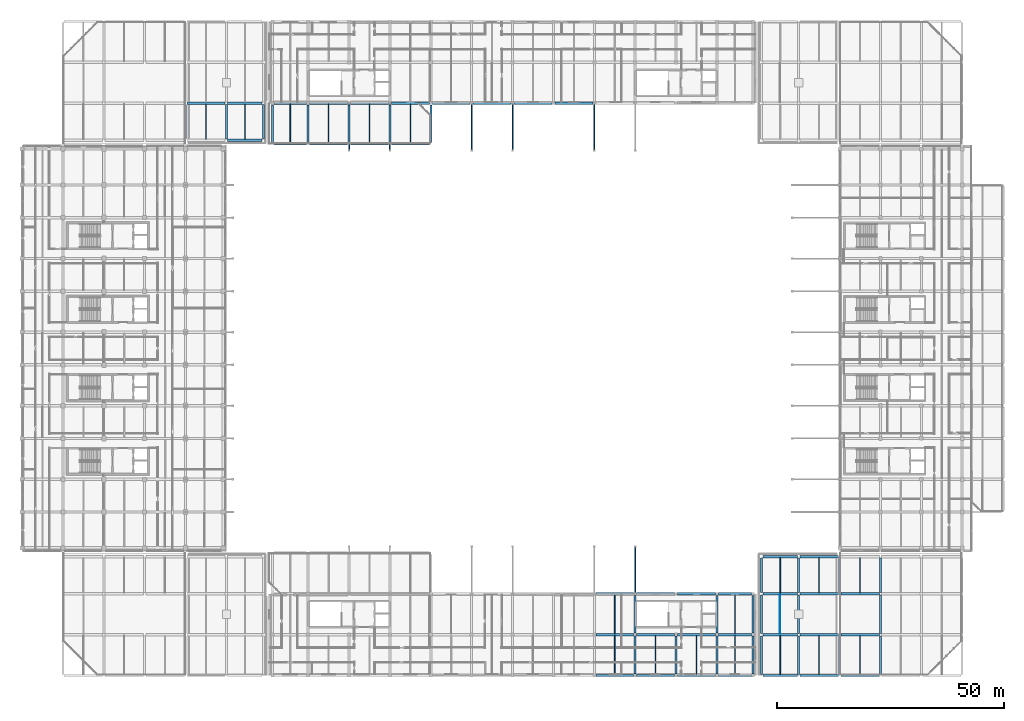
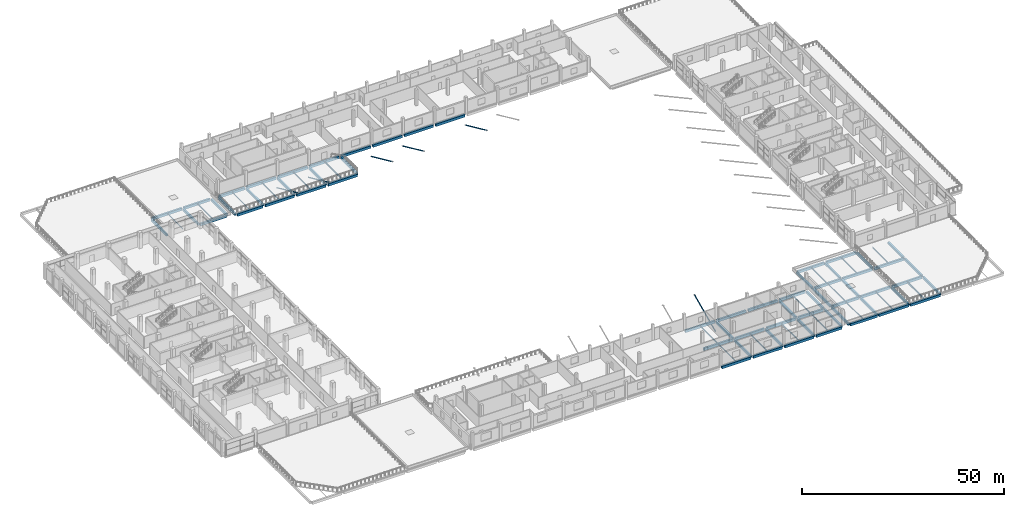
# One storey, part 23 of 82: 83 beams, 6 members.
"""IFC4 building model written with IfcOpenShell, lengths in metres."""

from ifc_helpers import new_model, si_unit, direction, frame, origin, origin_2d, place, context, subcontext, project, spatial, rectangle, hollow_circle, i_section, extrude, material, material_profile, profile_set, type_object, element, save


model = new_model("IFC4")

# Units and contexts
model_context = context("Model", 3, precision=1e-05, world=origin(), true_north=direction((0.0, 1.0)))
body_context = subcontext(model_context, "Body", "Model", "MODEL_VIEW")
ifc_project = project(units=[si_unit("LENGTHUNIT", "METRE"), si_unit("AREAUNIT", "SQUARE_METRE"), si_unit("VOLUMEUNIT", "CUBIC_METRE"), si_unit("PLANEANGLEUNIT", "RADIAN"), si_unit("MASSUNIT", "GRAM", prefix="KILO"), si_unit("THERMODYNAMICTEMPERATUREUNIT", "KELVIN"), si_unit("POWERUNIT", "WATT")], contexts=[model_context])

# Site, building, storey
site_placement = place(None, origin())
site = spatial("IfcSite", under=ifc_project, at=site_placement, CompositionType="ELEMENT")
building_placement = place(site_placement, origin())
building = spatial("IfcBuilding", under=site, at=building_placement, Name="Sindhuravela Promenade Stadium", CompositionType="ELEMENT")
storey_placement = place(building_placement, frame((0.0, 0.0, 14.39990234375)))
storey = spatial("IfcBuildingStorey", under=building, at=storey_placement, Name="L03", CompositionType="ELEMENT", Elevation=14.39990234375)

# Beams
ifc_material_1 = material(Name="Concrete M40", Category="concrete")
ifc_material_profile_1 = material_profile(ifc_material_1, rectangle(XDim=0.449951171875, YDim=0.699951171875, at=origin_2d()), Name="RC 450x700")
ifc_profile_set_1 = profile_set([ifc_material_profile_1], Name="Concrete M40")
beam_type_1 = type_object("IfcBeamType", Name="RC-BM-450x700", PredefinedType="BEAM", material=ifc_profile_set_1)
for number, where, z_axis, x_axis, name in (
    (1, (55.10009765625, 126.340087890625, -0.659912109375), (0.0, 1.0, 0.0), (-1.0, 0.0, 0.0), "Primary beam GB07 NORTH L03"),
    (2, (63.0, 126.340087890625, -0.659912109375), (0.0, 1.0, 0.0), (-1.0, 0.0, 0.0), "Primary beam GB07 NORTH L03"),
    (3, (72.0, 126.340087890625, -0.659912109375), (0.0, 1.0, 0.0), (-1.0, 0.0, 0.0), "Primary beam GB07 NORTH L03"),
    (4, (81.0, 126.340087890625, -0.659912109375), (0.0, 1.0, 0.0), (-1.0, 0.0, 0.0), "Primary beam GB07 NORTH L03"),
    (5, (90.0, 126.340087890625, -0.659912109375), (0.0, 1.0, 0.0), (-1.0, 0.0, 0.0), "Primary beam GB07 NORTH L03"),
    (6, (135.0, 9.340087890625, -0.64990234375), (0.0, 1.0, 0.0), (-1.0, 0.0, 0.0), "Primary beam GB07 SOUTH L03"),
    (7, (135.0, 18.340087890625, -0.64990234375), (0.0, 1.0, 0.0), (-1.0, 0.0, 0.0), "Primary beam GB07 SOUTH L03"),
    (8, (144.0, 9.340087890625, -0.64990234375), (0.0, 1.0, 0.0), (-1.0, 0.0, 0.0), "Primary beam GB07 SOUTH L03"),
    (9, (153.0, 9.340087890625, -0.64990234375), (0.0, 1.0, 0.0), (-1.0, 0.0, 0.0), "Primary beam GB07 SOUTH L03"),
    (10, (153.0, 18.340087890625, -0.64990234375), (0.0, 1.0, 0.0), (-1.0, 0.0, 0.0), "Primary beam GB07 SOUTH L03"),
    (11, (160.89990234375, 9.340087890625, -0.64990234375), (0.0, 1.0, 0.0), (-1.0, 0.0, 0.0), "Primary beam GB07 SOUTH L03"),
    (12, (160.89990234375, 18.340087890625, -0.64990234375), (0.0, 1.0, 0.0), (-1.0, 0.0, 0.0), "Primary beam GB07 SOUTH L03"),
):
    element("IfcBeam", number, at=place(storey_placement, frame(where, z_axis=z_axis, x_axis=x_axis)), inside=storey, type_object=beam_type_1, Name=name, PredefinedType="BEAM", context=body_context, shape_type="SweptSolid", body=[
        extrude(rectangle(XDim=0.449951171875, YDim=0.699951171875, at=origin_2d()), origin(), (0.0, 0.0, 1.0), 8.31982421875),
    ])
for number, where, z_axis, x_axis, name in (
    (13, (162.85009765625, 9.264892578125, -0.594970703125), (0.0, 1.0, 0.0), (-1.0, 0.0, 0.0), "Primary beam GB07 Pavilion SE L03"),
    (14, (162.85009765625, 18.264892578125, -0.594970703125), (0.0, 1.0, 0.0), (-1.0, 0.0, 0.0), "Primary beam GB07 Pavilion SE L03"),
):
    element("IfcBeam", number, at=place(storey_placement, frame(where, z_axis=z_axis, x_axis=x_axis)), inside=storey, type_object=beam_type_1, Name=name, PredefinedType="BEAM", context=body_context, shape_type="SweptSolid", body=[
        extrude(rectangle(XDim=0.449951171875, YDim=0.699951171875, at=origin_2d()), origin(), (0.0, 0.0, 1.0), 8.47021484375),
    ])
beam_1_placement = place(storey_placement, frame((162.85009765625, 27.264892578125, -0.594970703125), z_axis=(0.0, 1.0, 0.0), x_axis=(-1.0, 0.0, 0.0)))
element("IfcBeam", 15, at=beam_1_placement, inside=storey, type_object=beam_type_1, Name="Primary beam GB07 Pavilion SE L03", PredefinedType="BEAM", context=body_context, shape_type="SweptSolid", body=[
    extrude(rectangle(XDim=0.449951171875, YDim=0.699951171875, at=origin_2d()), origin(), (0.0, 0.0, 1.0), 7.6201171875),
])
for number, where, z_axis, x_axis, name in (
    (16, (171.0, 9.264892578125, -0.594970703125), (0.0, 1.0, 0.0), (-1.0, 0.0, 0.0), "Primary beam GB07 Pavilion SE L03"),
    (17, (171.0, 18.264892578125, -0.594970703125), (0.0, 1.0, 0.0), (-1.0, 0.0, 0.0), "Primary beam GB07 Pavilion SE L03"),
):
    element("IfcBeam", number, at=place(storey_placement, frame(where, z_axis=z_axis, x_axis=x_axis)), inside=storey, type_object=beam_type_1, Name=name, PredefinedType="BEAM", context=body_context, shape_type="SweptSolid", body=[
        extrude(rectangle(XDim=0.449951171875, YDim=0.699951171875, at=origin_2d()), origin(), (0.0, 0.0, 1.0), 8.47021484375),
    ])
beam_2_placement = place(storey_placement, frame((171.0, 27.264892578125, -0.594970703125), z_axis=(0.0, 1.0, 0.0), x_axis=(-1.0, 0.0, 0.0)))
element("IfcBeam", 18, at=beam_2_placement, inside=storey, type_object=beam_type_1, Name="Primary beam GB07 Pavilion SE L03", PredefinedType="BEAM", context=body_context, shape_type="SweptSolid", body=[
    extrude(rectangle(XDim=0.449951171875, YDim=0.699951171875, at=origin_2d()), origin(), (0.0, 0.0, 1.0), 7.6201171875),
])
beam_3_placement = place(storey_placement, frame((180.0, 9.264892578125, -0.659912109375), z_axis=(0.0, 1.0, 0.0), x_axis=(-1.0, 0.0, 0.0)))
element("IfcBeam", 19, at=beam_3_placement, inside=storey, type_object=beam_type_1, Name="Primary beam GB07 Pavilion SE L03", PredefinedType="BEAM", context=body_context, shape_type="SweptSolid", body=[
    extrude(rectangle(XDim=0.449951171875, YDim=0.699951171875, at=origin_2d()), origin(), (0.0, 0.0, 1.0), 8.47021484375),
])
beam_4_placement = place(storey_placement, frame((180.0, 27.264892578125, -0.659912109375), z_axis=(0.0, 1.0, 0.0), x_axis=(-1.0, 0.0, 0.0)))
element("IfcBeam", 20, at=beam_4_placement, inside=storey, type_object=beam_type_1, Name="Primary beam GB07 Pavilion SE L03", PredefinedType="BEAM", context=body_context, shape_type="SweptSolid", body=[
    extrude(rectangle(XDim=0.449951171875, YDim=0.699951171875, at=origin_2d()), origin(), (0.0, 0.0, 1.0), 7.6201171875),
])
for number, where, z_axis, x_axis, name in (
    (21, (189.0, 9.264892578125, -0.659912109375), (0.0, 1.0, 0.0), (-1.0, 0.0, 0.0), "Primary beam GB07 Pavilion SE L03"),
    (22, (189.0, 18.264892578125, -0.659912109375), (0.0, 1.0, 0.0), (-1.0, 0.0, 0.0), "Primary beam GB07 Pavilion SE L03"),
):
    element("IfcBeam", number, at=place(storey_placement, frame(where, z_axis=z_axis, x_axis=x_axis)), inside=storey, type_object=beam_type_1, Name=name, PredefinedType="BEAM", context=body_context, shape_type="SweptSolid", body=[
        extrude(rectangle(XDim=0.449951171875, YDim=0.699951171875, at=origin_2d()), origin(), (0.0, 0.0, 1.0), 8.47021484375),
    ])
for number, where, z_axis, x_axis, name in (
    (23, (189.0, 27.264892578125, -0.659912109375), (0.0, 1.0, 0.0), (-1.0, 0.0, 0.0), "Primary beam GB07 Pavilion SE L03"),
    (24, (36.0, 127.114990234375, -0.659912109375), (0.0, 1.0, 0.0), (-1.0, 0.0, 0.0), "Primary beam GB07 Pavilion NW L03"),
    (25, (45.0, 127.114990234375, -0.594970703125), (0.0, 1.0, 0.0), (-1.0, 0.0, 0.0), "Primary beam GB07 Pavilion NW L03"),
    (26, (53.14990234375, 127.114990234375, -0.594970703125), (0.0, 1.0, 0.0), (-1.0, 0.0, 0.0), "Primary beam GB07 Pavilion NW L03"),
):
    element("IfcBeam", number, at=place(storey_placement, frame(where, z_axis=z_axis, x_axis=x_axis)), inside=storey, type_object=beam_type_1, Name=name, PredefinedType="BEAM", context=body_context, shape_type="SweptSolid", body=[
        extrude(rectangle(XDim=0.449951171875, YDim=0.699951171875, at=origin_2d()), origin(), (0.0, 0.0, 1.0), 7.6201171875),
    ])
ifc_material_profile_2 = material_profile(ifc_material_1, rectangle(XDim=0.5, YDim=0.75, at=origin_2d()), Name="RC 500x750")
ifc_profile_set_2 = profile_set([ifc_material_profile_2], Name="Concrete M40")
beam_type_2 = type_object("IfcBeamType", Name="RC-BM-500x750", PredefinedType="BEAM", material=ifc_profile_set_2)
beam_5_placement = place(storey_placement, frame((55.43994140625, 126.0, -0.684814453125), z_axis=(1.0, 0.0, 0.0), x_axis=(0.0, 1.0, 0.0)))
element("IfcBeam", 27, at=beam_5_placement, inside=storey, type_object=beam_type_2, Name="Primary girder GB06 NORTH L03", PredefinedType="BEAM", context=body_context, shape_type="SweptSolid", body=[
    extrude(rectangle(XDim=0.5, YDim=0.75, at=origin_2d()), origin(), (0.0, 0.0, 1.0), 7.219970703125),
])
for number, where, z_axis, x_axis, name in (
    (28, (63.340087890625, 126.0, -0.684814453125), (1.0, 0.0, 0.0), (0.0, 1.0, 0.0), "Primary girder GB06 NORTH L03"),
    (29, (72.340087890625, 126.0, -0.684814453125), (1.0, 0.0, 0.0), (0.0, 1.0, 0.0), "Primary girder GB06 NORTH L03"),
    (30, (81.340087890625, 126.0, -0.684814453125), (1.0, 0.0, 0.0), (0.0, 1.0, 0.0), "Primary girder GB06 NORTH L03"),
):
    element("IfcBeam", number, at=place(storey_placement, frame(where, z_axis=z_axis, x_axis=x_axis)), inside=storey, type_object=beam_type_2, Name=name, PredefinedType="BEAM", context=body_context, shape_type="SweptSolid", body=[
        extrude(rectangle(XDim=0.5, YDim=0.75, at=origin_2d()), origin(), (0.0, 0.0, 1.0), 8.31982421875),
    ])
beam_6_placement = place(storey_placement, frame((55.43994140625, 135.0, -0.684814453125), z_axis=(1.0, 0.0, 0.0), x_axis=(0.0, 1.0, 0.0)))
element("IfcBeam", 31, at=beam_6_placement, inside=storey, type_object=beam_type_2, Name="Primary girder GB06 NORTH L03", PredefinedType="BEAM", context=body_context, shape_type="SweptSolid", body=[
    extrude(rectangle(XDim=0.5, YDim=0.75, at=origin_2d()), origin(), (0.0, 0.0, 1.0), 7.219970703125),
])
for number, where, z_axis, x_axis, name in (
    (32, (63.340087890625, 135.0, -0.684814453125), (1.0, 0.0, 0.0), (0.0, 1.0, 0.0), "Primary girder GB06 NORTH L03"),
    (33, (72.340087890625, 135.0, -0.684814453125), (1.0, 0.0, 0.0), (0.0, 1.0, 0.0), "Primary girder GB06 NORTH L03"),
    (34, (81.340087890625, 135.0, -0.684814453125), (1.0, 0.0, 0.0), (0.0, 1.0, 0.0), "Primary girder GB06 NORTH L03"),
    (35, (90.340087890625, 135.0, -0.6748046875), (1.0, 0.0, 0.0), (0.0, 1.0, 0.0), "Primary girder GB06 NORTH L03"),
    (36, (99.340087890625, 135.0, -0.6748046875), (1.0, 0.0, 0.0), (0.0, 1.0, 0.0), "Primary girder GB06 NORTH L03"),
    (37, (108.340087890625, 135.0, -0.6748046875), (1.0, 0.0, 0.0), (0.0, 1.0, 0.0), "Primary girder GB06 NORTH L03"),
    (38, (117.340087890625, 135.0, -0.6748046875), (1.0, 0.0, 0.0), (0.0, 1.0, 0.0), "Primary girder GB06 NORTH L03"),
    (39, (126.340087890625, 9.0, -0.6748046875), (1.0, 0.0, 0.0), (0.0, 1.0, 0.0), "Primary girder GB06 SOUTH L03"),
    (40, (135.340087890625, 9.0, -0.6748046875), (1.0, 0.0, 0.0), (0.0, 1.0, 0.0), "Primary girder GB06 SOUTH L03"),
    (41, (144.340087890625, 9.0, -0.6748046875), (1.0, 0.0, 0.0), (0.0, 1.0, 0.0), "Primary girder GB06 SOUTH L03"),
):
    element("IfcBeam", number, at=place(storey_placement, frame(where, z_axis=z_axis, x_axis=x_axis)), inside=storey, type_object=beam_type_2, Name=name, PredefinedType="BEAM", context=body_context, shape_type="SweptSolid", body=[
        extrude(rectangle(XDim=0.5, YDim=0.75, at=origin_2d()), origin(), (0.0, 0.0, 1.0), 8.31982421875),
    ])
beam_7_placement = place(storey_placement, frame((153.340087890625, 9.0, -0.6748046875), z_axis=(1.0, 0.0, 0.0), x_axis=(0.0, 1.0, 0.0)))
element("IfcBeam", 42, at=beam_7_placement, inside=storey, type_object=beam_type_2, Name="Primary girder GB06 SOUTH L03", PredefinedType="BEAM", context=body_context, shape_type="SweptSolid", body=[
    extrude(rectangle(XDim=0.5, YDim=0.75, at=origin_2d()), origin(), (0.0, 0.0, 1.0), 7.219970703125),
])
for number, where, z_axis, x_axis, name in (
    (43, (126.340087890625, 18.0, -0.6748046875), (1.0, 0.0, 0.0), (0.0, 1.0, 0.0), "Primary girder GB06 SOUTH L03"),
    (44, (135.340087890625, 18.0, -0.6748046875), (1.0, 0.0, 0.0), (0.0, 1.0, 0.0), "Primary girder GB06 SOUTH L03"),
    (45, (144.340087890625, 18.0, -0.6748046875), (1.0, 0.0, 0.0), (0.0, 1.0, 0.0), "Primary girder GB06 SOUTH L03"),
):
    element("IfcBeam", number, at=place(storey_placement, frame(where, z_axis=z_axis, x_axis=x_axis)), inside=storey, type_object=beam_type_2, Name=name, PredefinedType="BEAM", context=body_context, shape_type="SweptSolid", body=[
        extrude(rectangle(XDim=0.5, YDim=0.75, at=origin_2d()), origin(), (0.0, 0.0, 1.0), 8.31982421875),
    ])
beam_8_placement = place(storey_placement, frame((153.340087890625, 18.0, -0.6748046875), z_axis=(1.0, 0.0, 0.0), x_axis=(0.0, 1.0, 0.0)))
element("IfcBeam", 46, at=beam_8_placement, inside=storey, type_object=beam_type_2, Name="Primary girder GB06 SOUTH L03", PredefinedType="BEAM", context=body_context, shape_type="SweptSolid", body=[
    extrude(rectangle(XDim=0.5, YDim=0.75, at=origin_2d()), origin(), (0.0, 0.0, 1.0), 7.219970703125),
])
for number, where, z_axis, x_axis, name in (
    (47, (126.340087890625, 27.0, -0.6748046875), (1.0, 0.0, 0.0), (0.0, 1.0, 0.0), "Primary girder GB06 SOUTH L03"),
    (48, (135.340087890625, 27.0, -0.6748046875), (1.0, 0.0, 0.0), (0.0, 1.0, 0.0), "Primary girder GB06 SOUTH L03"),
    (49, (144.340087890625, 27.0, -0.6748046875), (1.0, 0.0, 0.0), (0.0, 1.0, 0.0), "Primary girder GB06 SOUTH L03"),
):
    element("IfcBeam", number, at=place(storey_placement, frame(where, z_axis=z_axis, x_axis=x_axis)), inside=storey, type_object=beam_type_2, Name=name, PredefinedType="BEAM", context=body_context, shape_type="SweptSolid", body=[
        extrude(rectangle(XDim=0.5, YDim=0.75, at=origin_2d()), origin(), (0.0, 0.0, 1.0), 8.31982421875),
    ])
beam_9_placement = place(storey_placement, frame((153.340087890625, 27.0, -0.6748046875), z_axis=(1.0, 0.0, 0.0), x_axis=(0.0, 1.0, 0.0)))
element("IfcBeam", 50, at=beam_9_placement, inside=storey, type_object=beam_type_2, Name="Primary girder GB06 SOUTH L03", PredefinedType="BEAM", context=body_context, shape_type="SweptSolid", body=[
    extrude(rectangle(XDim=0.5, YDim=0.75, at=origin_2d()), origin(), (0.0, 0.0, 1.0), 7.219970703125),
])
beam_10_placement = place(storey_placement, frame((163.114990234375, 9.0, -0.619873046875), z_axis=(1.0, 0.0, 0.0), x_axis=(0.0, 1.0, 0.0)))
element("IfcBeam", 51, at=beam_10_placement, inside=storey, type_object=beam_type_2, Name="Primary girder GB06 Pavilion SE L03", PredefinedType="BEAM", context=body_context, shape_type="SweptSolid", body=[
    extrude(rectangle(XDim=0.5, YDim=0.75, at=origin_2d()), origin(), (0.0, 0.0, 1.0), 7.6201171875),
])
for number, where, z_axis, x_axis, name in (
    (52, (171.264892578125, 9.0, -0.619873046875), (1.0, 0.0, 0.0), (0.0, 1.0, 0.0), "Primary girder GB06 Pavilion SE L03"),
    (53, (180.264892578125, 9.0, -0.684814453125), (1.0, 0.0, 0.0), (0.0, 1.0, 0.0), "Primary girder GB06 Pavilion SE L03"),
):
    element("IfcBeam", number, at=place(storey_placement, frame(where, z_axis=z_axis, x_axis=x_axis)), inside=storey, type_object=beam_type_2, Name=name, PredefinedType="BEAM", context=body_context, shape_type="SweptSolid", body=[
        extrude(rectangle(XDim=0.5, YDim=0.75, at=origin_2d()), origin(), (0.0, 0.0, 1.0), 8.47021484375),
    ])
beam_11_placement = place(storey_placement, frame((163.114990234375, 18.0, -0.619873046875), z_axis=(1.0, 0.0, 0.0), x_axis=(0.0, 1.0, 0.0)))
element("IfcBeam", 54, at=beam_11_placement, inside=storey, type_object=beam_type_2, Name="Primary girder GB06 Pavilion SE L03", PredefinedType="BEAM", context=body_context, shape_type="SweptSolid", body=[
    extrude(rectangle(XDim=0.5, YDim=0.75, at=origin_2d()), origin(), (0.0, 0.0, 1.0), 7.6201171875),
])
for number, where, z_axis, x_axis, name in (
    (55, (171.264892578125, 18.0, -0.619873046875), (1.0, 0.0, 0.0), (0.0, 1.0, 0.0), "Primary girder GB06 Pavilion SE L03"),
    (56, (180.264892578125, 18.0, -0.684814453125), (1.0, 0.0, 0.0), (0.0, 1.0, 0.0), "Primary girder GB06 Pavilion SE L03"),
):
    element("IfcBeam", number, at=place(storey_placement, frame(where, z_axis=z_axis, x_axis=x_axis)), inside=storey, type_object=beam_type_2, Name=name, PredefinedType="BEAM", context=body_context, shape_type="SweptSolid", body=[
        extrude(rectangle(XDim=0.5, YDim=0.75, at=origin_2d()), origin(), (0.0, 0.0, 1.0), 8.47021484375),
    ])
beam_12_placement = place(storey_placement, frame((163.114990234375, 27.0, -0.619873046875), z_axis=(1.0, 0.0, 0.0), x_axis=(0.0, 1.0, 0.0)))
element("IfcBeam", 57, at=beam_12_placement, inside=storey, type_object=beam_type_2, Name="Primary girder GB06 Pavilion SE L03", PredefinedType="BEAM", context=body_context, shape_type="SweptSolid", body=[
    extrude(rectangle(XDim=0.5, YDim=0.75, at=origin_2d()), origin(), (0.0, 0.0, 1.0), 7.6201171875),
])
for number, where, z_axis, x_axis, name in (
    (58, (171.264892578125, 27.0, -0.619873046875), (1.0, 0.0, 0.0), (0.0, 1.0, 0.0), "Primary girder GB06 Pavilion SE L03"),
    (59, (180.264892578125, 27.0, -0.684814453125), (1.0, 0.0, 0.0), (0.0, 1.0, 0.0), "Primary girder GB06 Pavilion SE L03"),
):
    element("IfcBeam", number, at=place(storey_placement, frame(where, z_axis=z_axis, x_axis=x_axis)), inside=storey, type_object=beam_type_2, Name=name, PredefinedType="BEAM", context=body_context, shape_type="SweptSolid", body=[
        extrude(rectangle(XDim=0.5, YDim=0.75, at=origin_2d()), origin(), (0.0, 0.0, 1.0), 8.47021484375),
    ])
beam_13_placement = place(storey_placement, frame((163.114990234375, 35.14990234375, -0.619873046875), z_axis=(1.0, 0.0, 0.0), x_axis=(0.0, 1.0, 0.0)))
element("IfcBeam", 60, at=beam_13_placement, inside=storey, type_object=beam_type_2, Name="Primary girder GB06 Pavilion SE L03", PredefinedType="BEAM", context=body_context, shape_type="SweptSolid", body=[
    extrude(rectangle(XDim=0.5, YDim=0.75, at=origin_2d()), origin(), (0.0, 0.0, 1.0), 7.6201171875),
])
beam_14_placement = place(storey_placement, frame((171.264892578125, 35.14990234375, -0.619873046875), z_axis=(1.0, 0.0, 0.0), x_axis=(0.0, 1.0, 0.0)))
element("IfcBeam", 61, at=beam_14_placement, inside=storey, type_object=beam_type_2, Name="Primary girder GB06 Pavilion SE L03", PredefinedType="BEAM", context=body_context, shape_type="SweptSolid", body=[
    extrude(rectangle(XDim=0.5, YDim=0.75, at=origin_2d()), origin(), (0.0, 0.0, 1.0), 8.47021484375),
])
beam_15_placement = place(storey_placement, frame((45.264892578125, 126.85009765625, -0.619873046875), z_axis=(1.0, 0.0, 0.0), x_axis=(0.0, 1.0, 0.0)))
element("IfcBeam", 62, at=beam_15_placement, inside=storey, type_object=beam_type_2, Name="Primary girder GB06 Pavilion NW L03", PredefinedType="BEAM", context=body_context, shape_type="SweptSolid", body=[
    extrude(rectangle(XDim=0.5, YDim=0.75, at=origin_2d()), origin(), (0.0, 0.0, 1.0), 7.6201171875),
])
beam_16_placement = place(storey_placement, frame((36.264892578125, 135.0, -0.619873046875), z_axis=(1.0, 0.0, 0.0), x_axis=(0.0, 1.0, 0.0)))
element("IfcBeam", 63, at=beam_16_placement, inside=storey, type_object=beam_type_2, Name="Primary girder GB06 Pavilion NW L03", PredefinedType="BEAM", context=body_context, shape_type="SweptSolid", body=[
    extrude(rectangle(XDim=0.5, YDim=0.75, at=origin_2d()), origin(), (0.0, 0.0, 1.0), 8.47021484375),
])
beam_17_placement = place(storey_placement, frame((45.264892578125, 135.0, -0.619873046875), z_axis=(1.0, 0.0, 0.0), x_axis=(0.0, 1.0, 0.0)))
element("IfcBeam", 64, at=beam_17_placement, inside=storey, type_object=beam_type_2, Name="Primary girder GB06 Pavilion NW L03", PredefinedType="BEAM", context=body_context, shape_type="SweptSolid", body=[
    extrude(rectangle(XDim=0.5, YDim=0.75, at=origin_2d()), origin(), (0.0, 0.0, 1.0), 7.6201171875),
])
ifc_material_2 = material(Name="Steel E350 (IS 2062 E350BR)", Category="steel")
ifc_material_profile_3 = material_profile(ifc_material_2, i_section(OverallWidth=0.10009765625, OverallDepth=0.199951171875, WebThickness=0.005615234375, FlangeThickness=0.0107421875, FilletRadius=0.010986328125, at=origin_2d()), Name="ISMB 200")
ifc_profile_set_3 = profile_set([ifc_material_profile_3], Name="Steel E350 (IS 2062 E350BR)")
beam_type_3 = type_object("IfcBeamType", Name="ST-BM-MB200", PredefinedType="JOIST", material=ifc_profile_set_3)
beam_18_placement = place(storey_placement, frame((166.925048828125, 18.239990234375, -0.344970703125), z_axis=(0.0, 1.0, 0.0), x_axis=(-1.0, 0.0, 0.0)))
element("IfcBeam", 65, at=beam_18_placement, inside=storey, type_object=beam_type_3, Name="Secondary floor joist SB01 Pavilion SE L03", PredefinedType="JOIST", context=body_context, shape_type="SweptSolid", body=[
    extrude(i_section(OverallWidth=0.10009765625, OverallDepth=0.199951171875, WebThickness=0.005615234375, FlangeThickness=0.0107421875, FilletRadius=0.010986328125, at=origin_2d()), origin(), (0.0, 0.0, 1.0), 8.52001953125),
])
ifc_material_profile_4 = material_profile(ifc_material_2, i_section(OverallWidth=0.139892578125, OverallDepth=0.300048828125, WebThickness=0.0078125, FlangeThickness=0.01318359375, FilletRadius=0.013916015625, at=origin_2d()), Name="ISMB 300")
ifc_profile_set_4 = profile_set([ifc_material_profile_4], Name="Steel E350 (IS 2062 E350BR)")
beam_type_4 = type_object("IfcBeamType", Name="ST-BM-MB300", PredefinedType="JOIST", material=ifc_profile_set_4)
for number, where, z_axis, x_axis, name in (
    (66, (59.050048828125, 126.239990234375, -0.4599609375), (0.0, 1.0, 0.0), (-1.0, 0.0, 0.0), "Secondary floor joist SB03 NORTH L03"),
    (67, (130.5, 9.239990234375, -0.449951171875), (0.0, 1.0, 0.0), (-1.0, 0.0, 0.0), "Secondary floor joist SB03 SOUTH L03"),
):
    element("IfcBeam", number, at=place(storey_placement, frame(where, z_axis=z_axis, x_axis=x_axis)), inside=storey, type_object=beam_type_4, Name=name, PredefinedType="JOIST", context=body_context, shape_type="SweptSolid", body=[
        extrude(i_section(OverallWidth=0.139892578125, OverallDepth=0.300048828125, WebThickness=0.0078125, FlangeThickness=0.01318359375, FilletRadius=0.013916015625, at=origin_2d()), origin(), (0.0, 0.0, 1.0), 8.52001953125),
    ])
beam_19_placement = place(storey_placement, frame((40.5, 127.090087890625, -0.39501953125), z_axis=(0.0, 1.0, 0.0), x_axis=(-1.0, 0.0, 0.0)))
element("IfcBeam", 68, at=beam_19_placement, inside=storey, type_object=beam_type_4, Name="Secondary floor joist SB03 Pavilion NW L03", PredefinedType="JOIST", context=body_context, shape_type="SweptSolid", body=[
    extrude(i_section(OverallWidth=0.139892578125, OverallDepth=0.300048828125, WebThickness=0.0078125, FlangeThickness=0.01318359375, FilletRadius=0.013916015625, at=origin_2d()), origin(), (0.0, 0.0, 1.0), 7.669921875),
])
ifc_material_profile_5 = material_profile(ifc_material_2, i_section(OverallWidth=0.139892578125, OverallDepth=0.35009765625, WebThickness=0.008056640625, FlangeThickness=0.01416015625, FilletRadius=0.013916015625, at=origin_2d()), Name="ISMB 350")
ifc_profile_set_5 = profile_set([ifc_material_profile_5], Name="Steel E350 (IS 2062 E350BR)")
beam_type_5 = type_object("IfcBeamType", Name="ST-BM-MB350", PredefinedType="JOIST", material=ifc_profile_set_5)
for number, where, z_axis, x_axis, name in (
    (69, (67.5, 126.239990234375, -0.48486328125), (0.0, 1.0, 0.0), (-1.0, 0.0, 0.0), "Secondary floor joist SB04 NORTH L03"),
    (70, (139.5, 9.239990234375, -0.474853515625), (0.0, 1.0, 0.0), (-1.0, 0.0, 0.0), "Secondary floor joist SB04 SOUTH L03"),
    (71, (130.5, 18.239990234375, -0.474853515625), (0.0, 1.0, 0.0), (-1.0, 0.0, 0.0), "Secondary floor joist SB04 SOUTH L03"),
):
    element("IfcBeam", number, at=place(storey_placement, frame(where, z_axis=z_axis, x_axis=x_axis)), inside=storey, type_object=beam_type_5, Name=name, PredefinedType="JOIST", context=body_context, shape_type="SweptSolid", body=[
        extrude(i_section(OverallWidth=0.139892578125, OverallDepth=0.35009765625, WebThickness=0.008056640625, FlangeThickness=0.01416015625, FilletRadius=0.013916015625, at=origin_2d()), origin(), (0.0, 0.0, 1.0), 8.52001953125),
    ])
for number, where, z_axis, x_axis, name in (
    (72, (166.925048828125, 27.239990234375, -0.419921875), (0.0, 1.0, 0.0), (-1.0, 0.0, 0.0), "Secondary floor joist SB04 Pavilion SE L03"),
    (73, (49.074951171875, 127.090087890625, -0.419921875), (0.0, 1.0, 0.0), (-1.0, 0.0, 0.0), "Secondary floor joist SB04 Pavilion NW L03"),
):
    element("IfcBeam", number, at=place(storey_placement, frame(where, z_axis=z_axis, x_axis=x_axis)), inside=storey, type_object=beam_type_5, Name=name, PredefinedType="JOIST", context=body_context, shape_type="SweptSolid", body=[
        extrude(i_section(OverallWidth=0.139892578125, OverallDepth=0.35009765625, WebThickness=0.008056640625, FlangeThickness=0.01416015625, FilletRadius=0.013916015625, at=origin_2d()), origin(), (0.0, 0.0, 1.0), 7.669921875),
    ])
ifc_material_profile_6 = material_profile(ifc_material_2, i_section(OverallWidth=0.139892578125, OverallDepth=0.39990234375, WebThickness=0.0087890625, FlangeThickness=0.01611328125, FilletRadius=0.013916015625, at=origin_2d()), Name="ISMB 400")
ifc_profile_set_6 = profile_set([ifc_material_profile_6], Name="Steel E350 (IS 2062 E350BR)")
beam_type_6 = type_object("IfcBeamType", Name="ST-BM-MB400", PredefinedType="BEAM", material=ifc_profile_set_6)
for number, where, z_axis, x_axis, name in (
    (74, (76.5, 126.239990234375, -0.510009765625), (0.0, 1.0, 0.0), (-1.0, 0.0, 0.0), "Secondary floor joist SB05 NORTH L03"),
    (75, (148.5, 9.239990234375, -0.5), (0.0, 1.0, 0.0), (-1.0, 0.0, 0.0), "Secondary floor joist SB05 SOUTH L03"),
    (76, (156.949951171875, 18.239990234375, -0.5), (0.0, 1.0, 0.0), (-1.0, 0.0, 0.0), "Secondary floor joist SB05 SOUTH L03"),
    (77, (166.925048828125, 9.239990234375, -0.44482421875), (0.0, 1.0, 0.0), (-1.0, 0.0, 0.0), "Secondary floor joist SB05 Pavilion SE L03"),
):
    element("IfcBeam", number, at=place(storey_placement, frame(where, z_axis=z_axis, x_axis=x_axis)), inside=storey, type_object=beam_type_6, Name=name, PredefinedType="BEAM", context=body_context, shape_type="SweptSolid", body=[
        extrude(i_section(OverallWidth=0.139892578125, OverallDepth=0.39990234375, WebThickness=0.0087890625, FlangeThickness=0.01611328125, FilletRadius=0.013916015625, at=origin_2d()), origin(), (0.0, 0.0, 1.0), 8.52001953125),
    ])
beam_20_placement = place(storey_placement, frame((175.5, 27.239990234375, -0.44482421875), z_axis=(0.0, 1.0, 0.0), x_axis=(-1.0, 0.0, 0.0)))
element("IfcBeam", 78, at=beam_20_placement, inside=storey, type_object=beam_type_6, Name="Secondary floor joist SB05 Pavilion SE L03", PredefinedType="BEAM", context=body_context, shape_type="SweptSolid", body=[
    extrude(i_section(OverallWidth=0.139892578125, OverallDepth=0.39990234375, WebThickness=0.0087890625, FlangeThickness=0.01611328125, FilletRadius=0.013916015625, at=origin_2d()), origin(), (0.0, 0.0, 1.0), 7.669921875),
])
ifc_material_profile_7 = material_profile(ifc_material_2, i_section(OverallWidth=0.14990234375, OverallDepth=0.449951171875, WebThickness=0.009521484375, FlangeThickness=0.017333984375, FilletRadius=0.014892578125, at=origin_2d()), Name="ISMB 450")
ifc_profile_set_7 = profile_set([ifc_material_profile_7], Name="Steel E350 (IS 2062 E350BR)")
beam_type_7 = type_object("IfcBeamType", Name="ST-BM-MB450", PredefinedType="BEAM", material=ifc_profile_set_7)
for number, where, z_axis, x_axis, name in (
    (79, (85.5, 126.239990234375, -0.534912109375), (0.0, 1.0, 0.0), (-1.0, 0.0, 0.0), "Secondary floor joist SB06 NORTH L03"),
    (80, (156.949951171875, 9.239990234375, -0.52490234375), (0.0, 1.0, 0.0), (-1.0, 0.0, 0.0), "Secondary floor joist SB06 SOUTH L03"),
    (81, (175.5, 9.239990234375, -0.469970703125), (0.0, 1.0, 0.0), (-1.0, 0.0, 0.0), "Secondary floor joist SB06 Pavilion SE L03"),
):
    element("IfcBeam", number, at=place(storey_placement, frame(where, z_axis=z_axis, x_axis=x_axis)), inside=storey, type_object=beam_type_7, Name=name, PredefinedType="BEAM", context=body_context, shape_type="SweptSolid", body=[
        extrude(i_section(OverallWidth=0.14990234375, OverallDepth=0.449951171875, WebThickness=0.009521484375, FlangeThickness=0.017333984375, FilletRadius=0.014892578125, at=origin_2d()), origin(), (0.0, 0.0, 1.0), 8.52001953125),
    ])
beam_21_placement = place(storey_placement, frame((184.5, 27.239990234375, -0.534912109375), z_axis=(0.0, 1.0, 0.0), x_axis=(-1.0, 0.0, 0.0)))
element("IfcBeam", 82, at=beam_21_placement, inside=storey, type_object=beam_type_7, Name="Secondary floor joist SB06 Pavilion SE L03", PredefinedType="BEAM", context=body_context, shape_type="SweptSolid", body=[
    extrude(i_section(OverallWidth=0.14990234375, OverallDepth=0.449951171875, WebThickness=0.009521484375, FlangeThickness=0.017333984375, FilletRadius=0.014892578125, at=origin_2d()), origin(), (0.0, 0.0, 1.0), 7.669921875),
])
ifc_material_profile_8 = material_profile(ifc_material_2, i_section(OverallWidth=0.18994140625, OverallDepth=0.550048828125, WebThickness=0.01123046875, FlangeThickness=0.019287109375, FilletRadius=0.01806640625, at=origin_2d()), Name="ISMB 550")
ifc_profile_set_8 = profile_set([ifc_material_profile_8], Name="Steel E350 (IS 2062 E350BR)")
beam_type_8 = type_object("IfcBeamType", Name="ST-BM-MB550", PredefinedType="SPANDREL", material=ifc_profile_set_8)
beam_22_placement = place(storey_placement, frame((184.5, 9.239990234375, -0.5849609375), z_axis=(0.0, 1.0, 0.0), x_axis=(-1.0, 0.0, 0.0)))
element("IfcBeam", 83, at=beam_22_placement, inside=storey, type_object=beam_type_8, Name="Secondary floor joist SB08 Pavilion SE L03", PredefinedType="SPANDREL", context=body_context, shape_type="SweptSolid", body=[
    extrude(i_section(OverallWidth=0.18994140625, OverallDepth=0.550048828125, WebThickness=0.01123046875, FlangeThickness=0.019287109375, FilletRadius=0.01806640625, at=origin_2d()), origin(), (0.0, 0.0, 1.0), 8.52001953125),
])

# Members
ifc_material_profile_9 = material_profile(ifc_material_2, hollow_circle(Radius=0.161865234375, WallThickness=0.011962890625, at=origin_2d()), Name="CHS 323.9x12")
ifc_profile_set_9 = profile_set([ifc_material_profile_9], Name="Steel E350 (IS 2062 E350BR)")
member_type = type_object("IfcMemberType", Name="ST-MB-CHS324", PredefinedType="STRUT", material=ifc_profile_set_9)
for number, where, z_axis, x_axis, name in (
    (84, (72.0, 135.0, -3.7998046875), (0.0, -0.9096146847750655, 0.41545291579378546), (1.0, 0.0, 0.0), "Upper raker prop strut MS01 STRUT-T2-N-072"),
    (85, (81.0, 135.0, -3.7998046875), (0.0, -0.9096146847750655, 0.41545291579378546), (1.0, 0.0, 0.0), "Upper raker prop strut MS01 STRUT-T2-N-074"),
    (86, (99.0, 135.0, -3.7998046875), (0.0, -0.9096146847750655, 0.41545291579378546), (1.0, 0.0, 0.0), "Upper raker prop strut MS01 STRUT-T2-N-076"),
    (87, (108.0, 135.0, -3.7998046875), (0.0, -0.9096146847750655, 0.41545291579378546), (1.0, 0.0, 0.0), "Upper raker prop strut MS01 STRUT-T2-N-078"),
    (88, (126.0, 135.0, -3.7998046875), (0.0, -0.9096146847750655, 0.41545291579378546), (1.0, 0.0, 0.0), "Upper raker prop strut MS01 STRUT-T2-N-080"),
    (89, (135.0, 27.0, -3.7998046875), (0.0, 0.9096146847750655, 0.41545291579378546), (-1.0, 0.0, 0.0), "Upper raker prop strut MS01 STRUT-T2-S-081"),
):
    element("IfcMember", number, at=place(storey_placement, frame(where, z_axis=z_axis, x_axis=x_axis)), inside=storey, type_object=member_type, Name=name, PredefinedType="STRUT", context=body_context, shape_type="SweptSolid", body=[
        extrude(hollow_circle(Radius=0.161865234375, WallThickness=0.011962890625, at=origin_2d()), origin(), (0.0, 0.0, 1.0), 11.433349609375),
    ])

save(model, "model.ifc")
